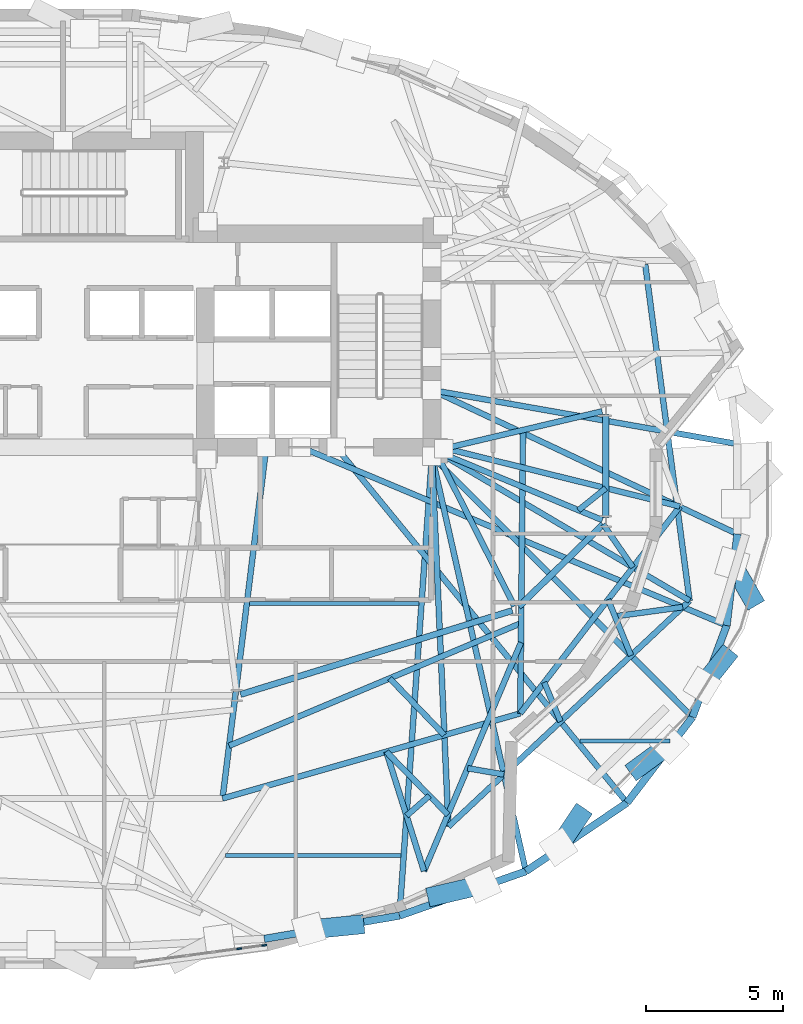
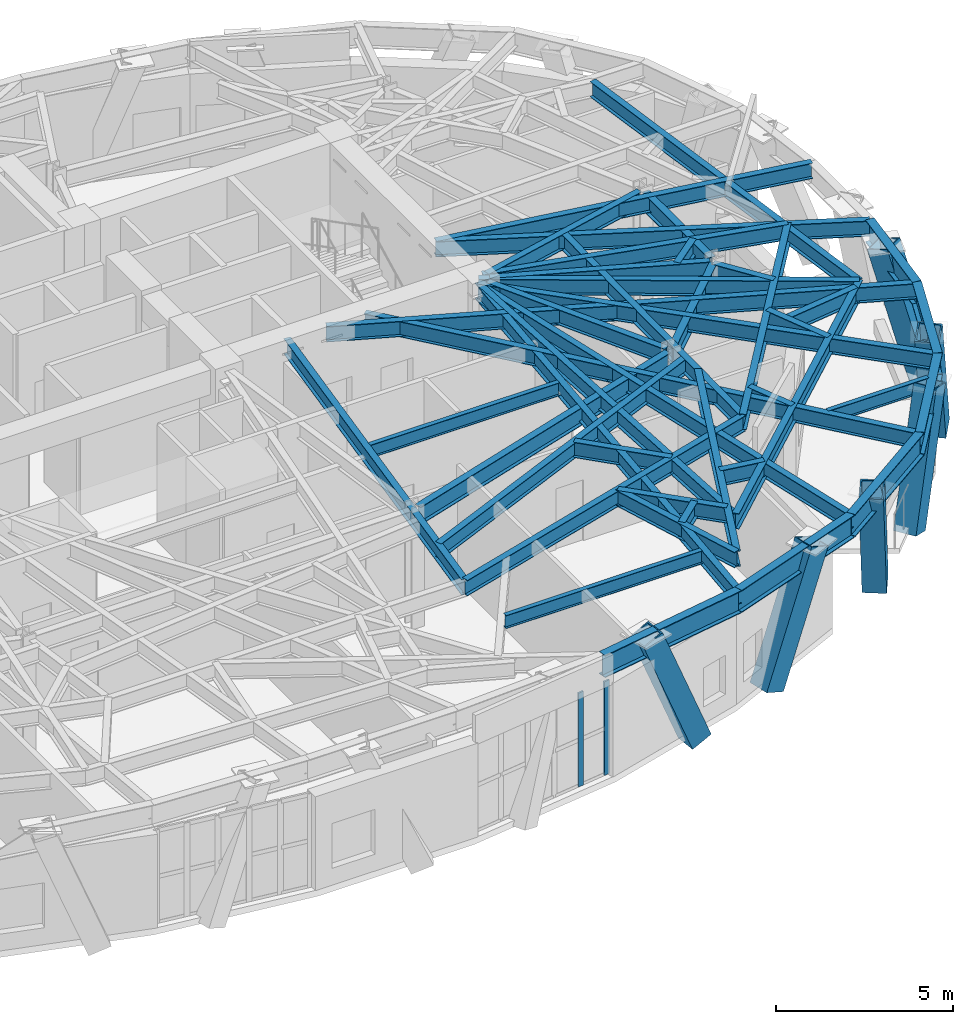
# One storey, part 4 of 16: 43 beams, 8 members, 1 element without a shape of its own.
"""IFC4 building model written with IfcOpenShell, lengths in metres."""

import ifcopenshell
import ifcopenshell.guid

model = None  # the IFC model being written
_history = None  # IfcOwnerHistory: only IFC2X3 demands one
_inside = {}  # id of a spatial element -> (the spatial element, [elements in it])
_under = {}  # id of a project, library or spatial element -> (it, [spatial elements below it])
_declared = {}  # id of a project -> (the project, [libraries it declares])
_typed = {}  # id of a type object -> (the type object, [elements of that type])
_made_of = {}  # id of a material, layer set ... -> (it, [elements and type objects made of it])


def new_model(schema):
    """Start an empty IFC model of exactly this schema.

    Asked for "IFC4X3", IfcOpenShell would pick the latest addendum, in which some entities
    have other attributes; the version numbers below select the first issue.
    IFC2X3 requires an IfcOwnerHistory on every rooted entity: one is made here for all.
    """
    global model, _history
    if schema == "IFC4X3":
        model = ifcopenshell.file(schema_version=(4, 3, 0, 0))
    else:
        model = ifcopenshell.file(schema=schema)
    _inside.clear()
    _under.clear()
    _declared.clear()
    _typed.clear()
    _made_of.clear()
    _history = None
    if model.schema == "IFC2X3":
        org = make("IfcOrganization", Name="unknown")
        user = make(
            "IfcPersonAndOrganization",
            ThePerson=make("IfcPerson", FamilyName="unknown"),
            TheOrganization=org,
        )
        app = make(
            "IfcApplication",
            ApplicationDeveloper=org,
            Version="unknown",
            ApplicationFullName="unknown",
            ApplicationIdentifier="unknown",
        )
        _history = make(
            "IfcOwnerHistory",
            OwningUser=user,
            OwningApplication=app,
            ChangeAction="ADDED",
            CreationDate=0,
        )
    return model


def make(cls, **values):
    """One entity of the class cls with the attributes given. An attribute that is None is left unset."""
    return model.create_entity(
        cls, **{name: value for name, value in values.items() if value is not None}
    )


def rooted(cls, **values):
    """An entity with a GlobalId (a new one), such as an element, a storey or a relation."""
    return make(cls, GlobalId=ifcopenshell.guid.new(), OwnerHistory=_history, **values)


def si_unit(unit_type, name, prefix=None):
    """IfcSIUnit, for example si_unit("LENGTHUNIT", "METRE", prefix="MILLI")."""
    return make("IfcSIUnit", UnitType=unit_type, Prefix=prefix, Name=name)


def assignment(units):
    """IfcUnitAssignment: the units of a project."""
    return None if units is None else make("IfcUnitAssignment", Units=units)


def point(xyz):
    """IfcCartesianPoint."""
    return None if xyz is None else make("IfcCartesianPoint", Coordinates=xyz)


def direction(xyz):
    """IfcDirection."""
    return None if xyz is None else make("IfcDirection", DirectionRatios=xyz)


def frame(location, z_axis=None, x_axis=None):
    """IfcAxis2Placement3D, a coordinate frame: its origin and axes. An axis left out is left unset."""
    return make(
        "IfcAxis2Placement3D",
        Location=point(location),
        Axis=direction(z_axis),
        RefDirection=direction(x_axis),
    )


def frame_2d(location, x_axis=None):
    """IfcAxis2Placement2D, a coordinate frame in the plane: its origin and x axis."""
    return make(
        "IfcAxis2Placement2D", Location=point(location), RefDirection=direction(x_axis)
    )


def origin():
    """The frame at (0, 0, 0) with its axes left unset."""
    return frame((0.0, 0.0, 0.0))


def origin_2d():
    """The frame at (0, 0) in the plane with its x axis left unset."""
    return frame_2d((0.0, 0.0))


def place(relative_to, where):
    """IfcLocalPlacement: puts the frame where relative to a parent placement (None: the world)."""
    return make(
        "IfcLocalPlacement", PlacementRelTo=relative_to, RelativePlacement=where
    )


def context(
    kind, dimensions, precision=None, world=None, true_north=None, identifier=None
):
    """IfcGeometricRepresentationContext, for example the 3D "Model" context."""
    return make(
        "IfcGeometricRepresentationContext",
        ContextIdentifier=identifier,
        ContextType=kind,
        CoordinateSpaceDimension=dimensions,
        Precision=precision,
        WorldCoordinateSystem=world,
        TrueNorth=true_north,
    )


def subcontext(parent, identifier, kind, view, scale=None):
    """IfcGeometricRepresentationSubContext, for example "Body" below "Model"."""
    return make(
        "IfcGeometricRepresentationSubContext",
        ContextIdentifier=identifier,
        ContextType=kind,
        ParentContext=parent,
        TargetScale=scale,
        TargetView=view,
    )


def project(units=None, contexts=None):
    """IfcProject with its units and contexts."""
    return rooted(
        "IfcProject",
        Name="project",
        RepresentationContexts=contexts,
        UnitsInContext=assignment(units),
    )


def spatial(cls, under=None, at=None, **own):
    """A site, building, storey or space (cls), placed at a placement, below another one or the project."""
    s = rooted(cls, ObjectPlacement=at, **own)
    if under is not None:
        _under.setdefault(under.id(), (under, []))[1].append(s)
    return s


def profile(cls, at=None, kind="AREA", **sizes):
    """A parametric profile (cls). Its sizes go by their IFC names, for example OverallWidth=200.0."""
    return make(cls, ProfileType=kind, Position=at, **sizes)


def rectangle(**sizes):
    """IfcRectangleProfileDef."""
    return profile("IfcRectangleProfileDef", **sizes)


def hollow_rectangle(**sizes):
    """IfcRectangleHollowProfileDef."""
    return profile("IfcRectangleHollowProfileDef", **sizes)


def i_section(**sizes):
    """IfcIShapeProfileDef."""
    return profile("IfcIShapeProfileDef", **sizes)


def extrude(swept, where, along, depth):
    """IfcExtrudedAreaSolid: the profile swept, set in the frame where, extruded along a direction by depth."""
    return make(
        "IfcExtrudedAreaSolid",
        SweptArea=swept,
        Position=where,
        ExtrudedDirection=direction(along),
        Depth=depth,
    )


def shape(context_of_items, identifier, shape_type, items):
    """IfcShapeRepresentation: the items that make up one representation, for example the "Body"."""
    return make(
        "IfcShapeRepresentation",
        ContextOfItems=context_of_items,
        RepresentationIdentifier=identifier,
        RepresentationType=shape_type,
        Items=items,
    )


def material(Name=None, Category=None):
    """IfcMaterial."""
    return make("IfcMaterial", Name=Name, Category=Category)


def layer(
    of_material, thickness, ventilated=None, Name=None, Category=None, Priority=None
):
    """IfcMaterialLayer: one layer of a wall or slab, of a material (None: an air gap)."""
    return make(
        "IfcMaterialLayer",
        Material=of_material,
        LayerThickness=thickness,
        IsVentilated=ventilated,
        Name=Name,
        Category=Category,
        Priority=Priority,
    )


def layer_set(layers, Name=None):
    """IfcMaterialLayerSet."""
    return make("IfcMaterialLayerSet", MaterialLayers=layers, LayerSetName=Name)


def material_profile(
    of_material, cross_section, Name=None, Category=None, Priority=None
):
    """IfcMaterialProfile: a cross section and its material."""
    return make(
        "IfcMaterialProfile",
        Name=Name,
        Material=of_material,
        Profile=cross_section,
        Priority=Priority,
        Category=Category,
    )


def profile_set(profiles, Name=None, composite=None):
    """IfcMaterialProfileSet."""
    return make(
        "IfcMaterialProfileSet",
        Name=Name,
        MaterialProfiles=profiles,
        CompositeProfile=composite,
    )


def made_of(thing, what):
    """Note that an element or type object is made of a material, layer set ...; save() writes the relation."""
    if what is not None:
        _made_of.setdefault(what.id(), (what, []))[1].append(thing)
    return thing


def type_object(cls, material=None, **own):
    """A type object (cls), such as IfcWallType, which elements share."""
    return made_of(rooted(cls, **own), material)


def element(
    cls,
    number,
    at=None,
    inside=None,
    cuts=None,
    type_object=None,
    material=None,
    context=None,
    identifier="Body",
    shape_type=None,
    held_by="IfcProductDefinitionShape",
    body=None,
    shapes=None,
    **own,
):
    """One element of the class cls, such as IfcWall. Its Tag is "e" and its number.

    at: its placement. inside: the storey or other place that contains it. cuts: it is an
    opening in that element (IfcRelVoidsElement). A single representation is given by context,
    identifier, shape_type and body (its items); several are given by shapes. held_by: the class
    of the entity that holds the representations. save() writes the other relations.
    """
    e = rooted(cls, Tag="e%d" % number, ObjectPlacement=at, **own)
    if body is not None:
        shapes = [shape(context, identifier, shape_type, body)]
    if shapes is not None:
        e.Representation = make(held_by, Representations=shapes)
    if inside is not None:
        _inside.setdefault(inside.id(), (inside, []))[1].append(e)
    if cuts is not None:
        rooted(
            "IfcRelVoidsElement", RelatingBuildingElement=cuts, RelatedOpeningElement=e
        )
    if type_object is not None:
        _typed.setdefault(type_object.id(), (type_object, []))[1].append(e)
    return made_of(e, material)


def aggregate(whole, parts):
    """IfcRelAggregates: a whole, such as a stair, and the parts it consists of."""
    return rooted("IfcRelAggregates", RelatingObject=whole, RelatedObjects=parts)


def save(model, path):
    """Write the relations noted so far, then the file.

    IfcRelAggregates (storeys below a building ...), IfcRelContainedInSpatialStructure (elements
    in a storey), IfcRelDefinesByType, IfcRelAssociatesMaterial and IfcRelDeclares: one each for
    every whole, place, type object, material and project.
    """
    for whole, parts in _under.values():
        aggregate(whole, parts)
    for where, things in _inside.values():
        rooted(
            "IfcRelContainedInSpatialStructure",
            RelatedElements=things,
            RelatingStructure=where,
        )
    for kind, things in _typed.values():
        rooted("IfcRelDefinesByType", RelatedObjects=things, RelatingType=kind)
    for what, things in _made_of.values():
        rooted("IfcRelAssociatesMaterial", RelatedObjects=things, RelatingMaterial=what)
    for by, libraries in _declared.values():
        rooted("IfcRelDeclares", RelatingContext=by, RelatedDefinitions=libraries)
    model.write(path)


model = new_model("IFC4")

# Units and contexts
model_context = context("Model", 3, precision=1e-05, world=origin(), true_north=direction((0.0, 1.0)))
body_context = subcontext(model_context, "Body", "Model", "MODEL_VIEW")
ifc_project = project(units=[si_unit("LENGTHUNIT", "METRE"), si_unit("AREAUNIT", "SQUARE_METRE"), si_unit("VOLUMEUNIT", "CUBIC_METRE"), si_unit("PLANEANGLEUNIT", "RADIAN"), si_unit("MASSUNIT", "GRAM", prefix="KILO")], contexts=[model_context])

# Site, building, storey
site_placement = place(None, origin())
site = spatial("IfcSite", under=ifc_project, at=site_placement, CompositionType="ELEMENT")
building_placement = place(site_placement, origin())
building = spatial("IfcBuilding", under=site, at=building_placement, Name="Keldmark Tower", CompositionType="ELEMENT")
storey_placement = place(building_placement, frame((0.0, 0.0, 139.60009765625)))
storey = spatial("IfcBuildingStorey", under=building, at=storey_placement, Name="L37", CompositionType="ELEMENT", Elevation=139.60009765625)

# Beams
ifc_material_1 = material(Name="Steel ASTM A992 Grade 50", Category="steel")
ifc_material_profile_1 = material_profile(ifc_material_1, i_section(OverallWidth=0.153076171875, OverallDepth=0.455078125, WebThickness=0.008056640625, FlangeThickness=0.01318359375, at=origin_2d()), Name="W18X40")
ifc_profile_set_1 = profile_set([ifc_material_profile_1], Name="Steel ASTM A992 Grade 50")
beam_type_1 = type_object("IfcBeamType", Name="Composite Floor Joist W18X40", PredefinedType="JOIST", material=ifc_profile_set_1)
beam_1_placement = place(storey_placement, frame((5.933837890625, -13.3798828125, 3.79248046875), z_axis=(1.0, 0.0, 0.0), x_axis=(0.0, 1.0, 0.0)))
element("IfcBeam", 1, at=beam_1_placement, inside=storey, type_object=beam_type_1, Name="L37 Composite Floor Joist J01", PredefinedType="JOIST", context=body_context, shape_type="SweptSolid", body=[
    extrude(i_section(OverallWidth=0.153076171875, OverallDepth=0.455078125, WebThickness=0.008056640625, FlangeThickness=0.01318359375, at=origin_2d()), origin(), (0.0, 0.0, 1.0), 6.4150390625),
])
beam_2_placement = place(storey_placement, frame((18.876953125, -9.199951171875, 3.79248046875), z_axis=(1.0, 0.0, 0.0), x_axis=(0.0, 1.0, 0.0)))
element("IfcBeam", 2, at=beam_2_placement, inside=storey, type_object=beam_type_1, Name="L37 Composite Floor Joist J03", PredefinedType="JOIST", context=body_context, shape_type="SweptSolid", body=[
    extrude(i_section(OverallWidth=0.153076171875, OverallDepth=0.455078125, WebThickness=0.008056640625, FlangeThickness=0.01318359375, at=origin_2d()), origin(), (0.0, 0.0, 1.0), 3.291259765625),
])
beam_3_placement = place(storey_placement, frame((6.811279296875, -4.179931640625, 3.79248046875), z_axis=(1.0, 0.0, 0.0), x_axis=(0.0, 1.0, 0.0)))
element("IfcBeam", 3, at=beam_3_placement, inside=storey, type_object=beam_type_1, Name="L37 Composite Floor Joist J06", PredefinedType="JOIST", context=body_context, shape_type="SweptSolid", body=[
    extrude(i_section(OverallWidth=0.153076171875, OverallDepth=0.455078125, WebThickness=0.008056640625, FlangeThickness=0.01318359375, at=origin_2d()), origin(), (0.0, 0.0, 1.0), 6.1875),
])

# Curtain wall, members
ifc_material_2 = material(Name="Unitized Thermally Broken Aluminum and Triple Low-E Glazing", Category="aluminium")
ifc_layer = layer(ifc_material_2, 0.219970703125)
ifc_layer_set = layer_set([ifc_layer], Name="Unitized Thermally Broken Aluminum and Triple Low-E Glazing")
curtain_wall_type = type_object("IfcCurtainWallType", Name="Sky Lobby Amenity Curtain Wall System", PredefinedType="NOTDEFINED", material=ifc_layer_set)
curtain_wall_placement = place(storey_placement, origin())
curtain_wall = element("IfcCurtainWall", 4, at=curtain_wall_placement, inside=storey, type_object=curtain_wall_type, Name="L37 Sky Lobby Amenity Curtain Wall System CW-L37-25", PredefinedType="NOTDEFINED")
ifc_material_3 = material(Name="Extruded Aluminum Alloy 6063-T6", Category="aluminium")
ifc_material_profile_2 = material_profile(ifc_material_3, rectangle(XDim=0.06005859375, YDim=0.179931640625, at=origin_2d()), Name="CWM60X180")
ifc_profile_set_2 = profile_set([ifc_material_profile_2], Name="Extruded Aluminum Alloy 6063-T6")
member_type_1 = type_object("IfcMemberType", Name="Curtain Wall Structural Mullion 60x180", PredefinedType="MULLION", material=ifc_profile_set_2)
member_1_placement = place(storey_placement, frame((7.349609375, -16.666015625, 0.0), z_axis=(0.0, 0.0, 1.0), x_axis=(0.133597552172, -0.991035667397, 0.0)))
member_1 = element("IfcMember", 5, at=member_1_placement, type_object=member_type_1, Name="CW mullion 1", PredefinedType="MULLION", context=body_context, shape_type="SweptSolid", body=[
    extrude(rectangle(XDim=0.06005859375, YDim=0.179931640625, at=origin_2d()), origin(), (0.0, 0.0, 1.0), 3.23779296875),
])
member_2_placement = place(storey_placement, frame((6.43505859375, -16.789306640625, 0.0), z_axis=(0.0, 0.0, 1.0), x_axis=(0.133597552172, -0.991035667397, 0.0)))
member_2 = element("IfcMember", 6, at=member_2_placement, type_object=member_type_1, Name="CW mullion 2", PredefinedType="MULLION", context=body_context, shape_type="SweptSolid", body=[
    extrude(rectangle(XDim=0.06005859375, YDim=0.179931640625, at=origin_2d()), origin(), (0.0, 0.0, 1.0), 3.23779296875),
])
aggregate(curtain_wall, [member_1, member_2])

# Members
ifc_material_4 = material(Name="Steel ASTM A572 Grade 50", Category="steel")
ifc_material_profile_3 = material_profile(ifc_material_4, hollow_rectangle(XDim=0.699951171875, YDim=0.699951171875, WallThickness=0.044921875, at=origin_2d()), Name="BOX700X700X45")
ifc_profile_set_3 = profile_set([ifc_material_profile_3], Name="Steel ASTM A572 Grade 50")
member_type_2 = type_object("IfcMemberType", Name="Diagrid Zone 2 Brace BOX700X700X45", PredefinedType="BRACE", material=ifc_profile_set_3)
member_3_placement = place(storey_placement, frame((10.669189453125, -15.922607421875, -0.300048828125), z_axis=(-0.372704446576, -0.037135699738, 0.92720673817), x_axis=(0.099147523007, -0.995072745422, 0.0)))
element("IfcMember", 7, at=member_3_placement, inside=storey, type_object=member_type_2, Name="L37 Perimeter Diagrid Brace 13B", PredefinedType="BRACE", context=body_context, shape_type="SweptSolid", body=[
    extrude(hollow_rectangle(XDim=0.699951171875, YDim=0.699951171875, WallThickness=0.044921875, at=origin_2d()), origin(), (0.0, 0.0, 1.0), 4.52978515625),
])
member_4_placement = place(storey_placement, frame((13.640625, -14.846923828125, -0.300048828125), z_axis=(0.37343740778, 0.087131816105, 0.92355430219), x_axis=(-0.227220764145, 0.97384327504, 0.0)))
element("IfcMember", 8, at=member_4_placement, inside=storey, type_object=member_type_2, Name="L37 Perimeter Diagrid Brace 14A", PredefinedType="BRACE", context=body_context, shape_type="SweptSolid", body=[
    extrude(hollow_rectangle(XDim=0.699951171875, YDim=0.699951171875, WallThickness=0.044921875, at=origin_2d()), origin(), (0.0, 0.0, 1.0), 4.547607421875),
])
member_5_placement = place(storey_placement, frame((18.85888671875, -11.94580078125, -0.300048828125), z_axis=(-0.17196231174, -0.257307798505, 0.950905705194), x_axis=(0.831417758639, -0.555647829673, 0.0)))
element("IfcMember", 9, at=member_5_placement, inside=storey, type_object=member_type_2, Name="L37 Perimeter Diagrid Brace 14B", PredefinedType="BRACE", context=body_context, shape_type="SweptSolid", body=[
    extrude(hollow_rectangle(XDim=0.699951171875, YDim=0.699951171875, WallThickness=0.044921875, at=origin_2d()), origin(), (0.0, 0.0, 1.0), 4.416748046875),
])
member_6_placement = place(storey_placement, frame((20.995849609375, -10.1826171875, -0.300048828125), z_axis=(0.259718707042, 0.191047320096, 0.94659765196), x_axis=(-0.592546825793, 0.805536007415, 0.0)))
element("IfcMember", 10, at=member_6_placement, inside=storey, type_object=member_type_2, Name="L37 Perimeter Diagrid Brace 15A", PredefinedType="BRACE", context=body_context, shape_type="SweptSolid", body=[
    extrude(hollow_rectangle(XDim=0.699951171875, YDim=0.699951171875, WallThickness=0.044921875, at=origin_2d()), origin(), (0.0, 0.0, 1.0), 4.43701171875),
])
member_7_placement = place(storey_placement, frame((24.177490234375, -6.150146484375, -0.300048828125), z_axis=(-0.18689791136, -0.235299535987, 0.953783675208), x_axis=(0.783042130256, -0.62196866661, 0.0)))
element("IfcMember", 11, at=member_7_placement, inside=storey, type_object=member_type_2, Name="L37 Perimeter Diagrid Brace 15B", PredefinedType="BRACE", context=body_context, shape_type="SweptSolid", body=[
    extrude(hollow_rectangle(XDim=0.699951171875, YDim=0.699951171875, WallThickness=0.044921875, at=origin_2d()), origin(), (0.0, 0.0, 1.0), 4.403564453125),
])
member_8_placement = place(storey_placement, frame((25.154541015625, -3.96826171875, -0.300048828125), z_axis=(-0.160421090928, 0.2770058659, 0.947382089678), x_axis=(-0.865359532122, -0.501151554089, 0.0)))
element("IfcMember", 12, at=member_8_placement, inside=storey, type_object=member_type_2, Name="L37 Perimeter Diagrid Brace 16A", PredefinedType="BRACE", context=body_context, shape_type="SweptSolid", body=[
    extrude(hollow_rectangle(XDim=0.699951171875, YDim=0.699951171875, WallThickness=0.044921875, at=origin_2d()), origin(), (0.0, 0.0, 1.0), 4.43310546875),
])

# Beams
ifc_material_5 = material(Name="Steel ASTM A992 Grade 50", Category="steel")
ifc_material_profile_4 = material_profile(ifc_material_5, i_section(OverallWidth=0.22900390625, OverallDepth=0.612060546875, WebThickness=0.011962890625, FlangeThickness=0.01953125, at=origin_2d()), Name="W24X84")
ifc_profile_set_4 = profile_set([ifc_material_profile_4], Name="Steel ASTM A992 Grade 50")
beam_type_2 = type_object("IfcBeamType", Name="Primary Floor Girder W24X84", PredefinedType="BEAM", material=ifc_profile_set_4)
beam_4_placement = place(storey_placement, frame((6.485107421875, -7.5048828125, 3.7138671875), z_axis=(0.955494563145, 0.295008711398, 0.0), x_axis=(-0.295008711398, 0.955494563145, 0.0)))
element("IfcBeam", 13, at=beam_4_placement, inside=storey, type_object=beam_type_2, Name="L37 Floor Ring Girder FG-R10", PredefinedType="BEAM", context=body_context, shape_type="SweptSolid", body=[
    extrude(i_section(OverallWidth=0.22900390625, OverallDepth=0.612060546875, WebThickness=0.011962890625, FlangeThickness=0.01953125, at=origin_2d()), origin(), (0.0, 0.0, 1.0), 10.39013671875),
])
beam_5_placement = place(storey_placement, frame((16.646728515625, -4.300537109375, 3.7138671875), z_axis=(0.714964509815, 0.699160746684, 0.0), x_axis=(-0.699160746684, 0.714964509815, 0.0)))
element("IfcBeam", 14, at=beam_5_placement, inside=storey, type_object=beam_type_2, Name="L37 Floor Ring Girder FG-R11", PredefinedType="BEAM", context=body_context, shape_type="SweptSolid", body=[
    extrude(i_section(OverallWidth=0.22900390625, OverallDepth=0.612060546875, WebThickness=0.011962890625, FlangeThickness=0.01953125, at=origin_2d()), origin(), (0.0, 0.0, 1.0), 4.31005859375),
])
beam_6_placement = place(storey_placement, frame((19.828369140625, -1.04931640625, 3.7138671875), z_axis=(0.0, 1.0, 0.0), x_axis=(-1.0, 0.0, 0.0)))
element("IfcBeam", 15, at=beam_6_placement, inside=storey, type_object=beam_type_2, Name="L37 Floor Ring Girder FG-R12", PredefinedType="BEAM", context=body_context, shape_type="SweptSolid", body=[
    extrude(i_section(OverallWidth=0.22900390625, OverallDepth=0.612060546875, WebThickness=0.011962890625, FlangeThickness=0.01953125, at=origin_2d()), origin(), (0.0, 0.0, 1.0), 3.778564453125),
])
ifc_material_6 = material(Name="Steel ASTM A992 Grade 50", Category="steel")
ifc_material_profile_5 = material_profile(ifc_material_6, i_section(OverallWidth=0.2099609375, OverallDepth=0.537109375, WebThickness=0.010986328125, FlangeThickness=0.017333984375, at=origin_2d()), Name="W21X68")
ifc_profile_set_5 = profile_set([ifc_material_profile_5], Name="Steel ASTM A992 Grade 50")
beam_type_3 = type_object("IfcBeamType", Name="Radial Tie Girder W21X68", PredefinedType="BEAM", material=ifc_profile_set_5)
beam_7_placement = place(storey_placement, frame((19.692138671875, 2.837158203125, 3.75146484375), z_axis=(-0.973280062348, -0.229621253887, 0.0), x_axis=(0.229621253887, -0.973280062348, 0.0)))
element("IfcBeam", 16, at=beam_7_placement, inside=storey, type_object=beam_type_3, Name="L37 Floor Radial Girder FG-C01", PredefinedType="BEAM", context=body_context, shape_type="SweptSolid", body=[
    extrude(i_section(OverallWidth=0.2099609375, OverallDepth=0.537109375, WebThickness=0.010986328125, FlangeThickness=0.017333984375, at=origin_2d()), origin(), (0.0, 0.0, 1.0), 5.939208984375),
])
beam_8_placement = place(storey_placement, frame((16.4833984375, -4.273681640625, 3.75146484375), z_axis=(-0.453036691775, 0.891491870914, 0.0), x_axis=(-0.891491870914, -0.453036691775, 0.0)))
element("IfcBeam", 17, at=beam_8_placement, inside=storey, type_object=beam_type_3, Name="L37 Floor Radial Girder FG-C11", PredefinedType="BEAM", context=body_context, shape_type="SweptSolid", body=[
    extrude(i_section(OverallWidth=0.2099609375, OverallDepth=0.537109375, WebThickness=0.010986328125, FlangeThickness=0.017333984375, at=origin_2d()), origin(), (0.0, 0.0, 1.0), 6.044189453125),
])
beam_9_placement = place(storey_placement, frame((19.69921875, -1.135498046875, 3.75146484375), z_axis=(-0.923393794893, 0.383854008124, 0.0), x_axis=(-0.383854008124, -0.923393794893, 0.0)))
element("IfcBeam", 18, at=beam_9_placement, inside=storey, type_object=beam_type_3, Name="L37 Floor Radial Girder FG-C12", PredefinedType="BEAM", context=body_context, shape_type="SweptSolid", body=[
    extrude(i_section(OverallWidth=0.2099609375, OverallDepth=0.537109375, WebThickness=0.010986328125, FlangeThickness=0.017333984375, at=origin_2d()), origin(), (0.0, 0.0, 1.0), 6.28515625),
])
beam_10_placement = place(storey_placement, frame((7.425048828125, 1.52490234375, 3.75146484375), z_axis=(-0.123602401319, -0.992331822723, 0.0), x_axis=(0.992331822723, -0.123602401319, 0.0)))
element("IfcBeam", 19, at=beam_10_placement, inside=storey, type_object=beam_type_3, Name="L37 Sub-Ring Step Girder STP1-M10", PredefinedType="BEAM", context=body_context, shape_type="SweptSolid", body=[
    extrude(i_section(OverallWidth=0.2099609375, OverallDepth=0.537109375, WebThickness=0.010986328125, FlangeThickness=0.017333984375, at=origin_2d()), origin(), (0.0, 0.0, 1.0), 12.927734375),
])
beam_11_placement = place(storey_placement, frame((6.06689453125, -9.37939453125, 3.75146484375), z_axis=(0.921949256036, 0.387310688331, 0.0), x_axis=(-0.387310688331, 0.921949256036, 0.0)))
element("IfcBeam", 20, at=beam_11_placement, inside=storey, type_object=beam_type_3, Name="L37 Framing Pin Header PH-007", PredefinedType="BEAM", context=body_context, shape_type="SweptSolid", body=[
    extrude(i_section(OverallWidth=0.2099609375, OverallDepth=0.537109375, WebThickness=0.010986328125, FlangeThickness=0.017333984375, at=origin_2d()), origin(), (0.0, 0.0, 1.0), 11.570068359375),
])
beam_12_placement = place(storey_placement, frame((16.8017578125, 2.1552734375, 3.75146484375), z_axis=(-0.009623557733, -0.999953692496, 0.0), x_axis=(0.999953692496, -0.009623557733, 0.0)))
element("IfcBeam", 21, at=beam_12_placement, inside=storey, type_object=beam_type_3, Name="L37 Sub-Ring Step Girder STP1-M11", PredefinedType="BEAM", context=body_context, shape_type="SweptSolid", body=[
    extrude(i_section(OverallWidth=0.2099609375, OverallDepth=0.537109375, WebThickness=0.010986328125, FlangeThickness=0.017333984375, at=origin_2d()), origin(), (0.0, 0.0, 1.0), 10.3505859375),
])
beam_13_placement = place(storey_placement, frame((18.82861328125, -0.773681640625, 3.75146484375), z_axis=(0.778637780949, 0.627473669629, 0.0), x_axis=(-0.627473669629, 0.778637780949, 0.0)))
element("IfcBeam", 22, at=beam_13_placement, inside=storey, type_object=beam_type_3, Name="L37 Framing Pin Header PH-008", PredefinedType="BEAM", context=body_context, shape_type="SweptSolid", body=[
    extrude(i_section(OverallWidth=0.2099609375, OverallDepth=0.537109375, WebThickness=0.010986328125, FlangeThickness=0.017333984375, at=origin_2d()), origin(), (0.0, 0.0, 1.0), 1.283935546875),
])
beam_14_placement = place(storey_placement, frame((13.800048828125, 1.52490234375, 3.75146484375), z_axis=(0.970682897113, -0.240363710347, 0.0), x_axis=(0.240363710347, 0.970682897113, 0.0)))
element("IfcBeam", 23, at=beam_14_placement, inside=storey, type_object=beam_type_3, Name="L37 Sub-Ring Step Girder STP1-M12", PredefinedType="BEAM", context=body_context, shape_type="SweptSolid", body=[
    extrude(i_section(OverallWidth=0.2099609375, OverallDepth=0.537109375, WebThickness=0.010986328125, FlangeThickness=0.017333984375, at=origin_2d()), origin(), (0.0, 0.0, 1.0), 8.9951171875),
])
beam_15_placement = place(storey_placement, frame((5.8271484375, -11.3037109375, 3.75146484375), z_axis=(0.961483210619, 0.274863667475, 0.0), x_axis=(-0.274863667475, 0.961483210619, 0.0)))
element("IfcBeam", 24, at=beam_15_placement, inside=storey, type_object=beam_type_3, Name="L37 Perimeter Collector Ring Beam CRG1-M10", PredefinedType="BEAM", context=body_context, shape_type="SweptSolid", body=[
    extrude(i_section(OverallWidth=0.2099609375, OverallDepth=0.537109375, WebThickness=0.010986328125, FlangeThickness=0.017333984375, at=origin_2d()), origin(), (0.0, 0.0, 1.0), 11.310546875),
])
beam_16_placement = place(storey_placement, frame((16.7021484375, -8.19482421875, 3.75146484375), z_axis=(0.610749846947, 0.791823606906, 0.0), x_axis=(-0.791823606906, 0.610749846947, 0.0)))
element("IfcBeam", 25, at=beam_16_placement, inside=storey, type_object=beam_type_3, Name="L37 Perimeter Collector Ring Beam CRG1-M11", PredefinedType="BEAM", context=body_context, shape_type="SweptSolid", body=[
    extrude(i_section(OverallWidth=0.2099609375, OverallDepth=0.537109375, WebThickness=0.010986328125, FlangeThickness=0.017333984375, at=origin_2d()), origin(), (0.0, 0.0, 1.0), 9.544677734375),
])
beam_17_placement = place(storey_placement, frame((11.93359375, -6.914794921875, 3.75146484375), z_axis=(0.693791660278, -0.720175764747, 0.0), x_axis=(0.720175764747, 0.693791660278, 0.0)))
element("IfcBeam", 26, at=beam_17_placement, inside=storey, type_object=beam_type_3, Name="L37 Framing Pin Header PH-013", PredefinedType="BEAM", context=body_context, shape_type="SweptSolid", body=[
    extrude(i_section(OverallWidth=0.2099609375, OverallDepth=0.537109375, WebThickness=0.010986328125, FlangeThickness=0.017333984375, at=origin_2d()), origin(), (0.0, 0.0, 1.0), 2.877685546875),
])
beam_18_placement = place(storey_placement, frame((13.47509765625, 1.199951171875, 3.75146484375), z_axis=(0.044632986317, -0.999003451712, 0.0), x_axis=(0.999003451712, 0.044632986317, 0.0)))
element("IfcBeam", 27, at=beam_18_placement, inside=storey, type_object=beam_type_3, Name="L37 Sub-Ring Step Girder STP2-M11", PredefinedType="BEAM", context=body_context, shape_type="SweptSolid", body=[
    extrude(i_section(OverallWidth=0.2099609375, OverallDepth=0.537109375, WebThickness=0.010986328125, FlangeThickness=0.017333984375, at=origin_2d()), origin(), (0.0, 0.0, 1.0), 13.5380859375),
])
beam_19_placement = place(storey_placement, frame((19.728271484375, -1.287109375, 3.75146484375), z_axis=(0.569575002166, -0.821939363279, 0.0), x_axis=(0.821939363279, 0.569575002166, 0.0)))
element("IfcBeam", 28, at=beam_19_placement, inside=storey, type_object=beam_type_3, Name="L37 Framing Pin Header PH-014", PredefinedType="BEAM", context=body_context, shape_type="SweptSolid", body=[
    extrude(i_section(OverallWidth=0.2099609375, OverallDepth=0.537109375, WebThickness=0.010986328125, FlangeThickness=0.017333984375, at=origin_2d()), origin(), (0.0, 0.0, 1.0), 1.91259765625),
])
beam_20_placement = place(storey_placement, frame((13.60009765625, 1.39990234375, 3.75146484375), z_axis=(0.861224360692, -0.508224950737, 0.0), x_axis=(0.508224950737, 0.861224360692, 0.0)))
element("IfcBeam", 29, at=beam_20_placement, inside=storey, type_object=beam_type_3, Name="L37 Sub-Ring Step Girder STP2-M12", PredefinedType="BEAM", context=body_context, shape_type="SweptSolid", body=[
    extrude(i_section(OverallWidth=0.2099609375, OverallDepth=0.537109375, WebThickness=0.010986328125, FlangeThickness=0.017333984375, at=origin_2d()), origin(), (0.0, 0.0, 1.0), 10.78173828125),
])
beam_21_placement = place(storey_placement, frame((14.079345703125, -12.32470703125, 3.75146484375), z_axis=(0.729977572155, 0.683471099718, 0.0), x_axis=(-0.683471099718, 0.729977572155, 0.0)))
element("IfcBeam", 30, at=beam_21_placement, inside=storey, type_object=beam_type_3, Name="L37 Perimeter Collector Ring Beam CRG2-M11", PredefinedType="BEAM", context=body_context, shape_type="SweptSolid", body=[
    extrude(i_section(OverallWidth=0.2099609375, OverallDepth=0.537109375, WebThickness=0.010986328125, FlangeThickness=0.017333984375, at=origin_2d()), origin(), (0.0, 0.0, 1.0), 12.0634765625),
])
beam_22_placement = place(storey_placement, frame((22.885498046875, -4.07958984375, 3.75146484375), z_axis=(-0.130747188915, 0.991415741549, 0.0), x_axis=(-0.991415741549, -0.130747188915, 0.0)))
element("IfcBeam", 31, at=beam_22_placement, inside=storey, type_object=beam_type_3, Name="L37 Perimeter Collector Ring Beam CRG2-M12", PredefinedType="BEAM", context=body_context, shape_type="SweptSolid", body=[
    extrude(i_section(OverallWidth=0.2099609375, OverallDepth=0.537109375, WebThickness=0.010986328125, FlangeThickness=0.017333984375, at=origin_2d()), origin(), (0.0, 0.0, 1.0), 12.385498046875),
])
beam_23_placement = place(storey_placement, frame((13.47509765625, 3.6142578125, 3.75146484375), z_axis=(0.984765764144, -0.173886140247, 0.0), x_axis=(0.173886140247, 0.984765764144, 0.0)))
element("IfcBeam", 32, at=beam_23_placement, inside=storey, type_object=beam_type_3, Name="L37 Perimeter Radial Tie Girder RT-01", PredefinedType="BEAM", context=body_context, shape_type="SweptSolid", body=[
    extrude(i_section(OverallWidth=0.2099609375, OverallDepth=0.537109375, WebThickness=0.010986328125, FlangeThickness=0.017333984375, at=origin_2d()), origin(), (0.0, 0.0, 1.0), 11.3291015625),
])
beam_24_placement = place(storey_placement, frame((11.80859375, -9.59375, 3.75146484375), z_axis=(0.699898385013, -0.71424243129, 0.0), x_axis=(0.71424243129, 0.699898385013, 0.0)))
element("IfcBeam", 33, at=beam_24_placement, inside=storey, type_object=beam_type_3, Name="L37 Framing Pin Header PH-034", PredefinedType="BEAM", context=body_context, shape_type="SweptSolid", body=[
    extrude(i_section(OverallWidth=0.2099609375, OverallDepth=0.537109375, WebThickness=0.010986328125, FlangeThickness=0.017333984375, at=origin_2d()), origin(), (0.0, 0.0, 1.0), 3.216796875),
])
beam_25_placement = place(storey_placement, frame((16.72705078125, -5.607421875, 3.75146484375), z_axis=(-0.390690201886, -0.920522224691, 0.0), x_axis=(0.920522224691, -0.390690201886, 0.0)))
element("IfcBeam", 34, at=beam_25_placement, inside=storey, type_object=beam_type_3, Name="L37 Intermediate Radial Step Girder RT-27M", PredefinedType="BEAM", context=body_context, shape_type="SweptSolid", body=[
    extrude(i_section(OverallWidth=0.2099609375, OverallDepth=0.537109375, WebThickness=0.010986328125, FlangeThickness=0.017333984375, at=origin_2d()), origin(), (0.0, 0.0, 1.0), 9.06787109375),
])
beam_26_placement = place(storey_placement, frame((11.80859375, -9.59375, 3.75146484375), z_axis=(0.300857945533, -0.953668965947, 0.0), x_axis=(0.953668965947, 0.300857945533, 0.0)))
element("IfcBeam", 35, at=beam_26_placement, inside=storey, type_object=beam_type_3, Name="L37 Local Collector Chord RT-27C", PredefinedType="BEAM", context=body_context, shape_type="SweptSolid", body=[
    extrude(i_section(OverallWidth=0.2099609375, OverallDepth=0.537109375, WebThickness=0.010986328125, FlangeThickness=0.017333984375, at=origin_2d()), origin(), (0.0, 0.0, 1.0), 4.57275390625),
])
beam_27_placement = place(storey_placement, frame((13.384521484375, -11.2021484375, 3.75146484375), z_axis=(-0.752603878602, -0.658473539266, 0.0), x_axis=(0.658473539266, -0.752603878602, 0.0)))
element("IfcBeam", 36, at=beam_27_placement, inside=storey, type_object=beam_type_3, Name="L37 Framing Pin Header PH-035", PredefinedType="BEAM", context=body_context, shape_type="SweptSolid", body=[
    extrude(i_section(OverallWidth=0.2099609375, OverallDepth=0.537109375, WebThickness=0.010986328125, FlangeThickness=0.017333984375, at=origin_2d()), origin(), (0.0, 0.0, 1.0), 1.11279296875),
])
beam_28_placement = place(storey_placement, frame((13.47509765625, 1.199951171875, 3.75146484375), z_axis=(-0.07047366832, -0.997513640044, 0.0), x_axis=(0.997513640044, -0.07047366832, 0.0)))
element("IfcBeam", 37, at=beam_28_placement, inside=storey, type_object=beam_type_3, Name="L37 Perimeter Radial Tie Girder RT-27", PredefinedType="BEAM", context=body_context, shape_type="SweptSolid", body=[
    extrude(i_section(OverallWidth=0.2099609375, OverallDepth=0.537109375, WebThickness=0.010986328125, FlangeThickness=0.017333984375, at=origin_2d()), origin(), (0.0, 0.0, 1.0), 16.825927734375),
])
beam_29_placement = place(storey_placement, frame((14.778564453125, -10.1982421875, 3.75146484375), z_axis=(0.985442320467, -0.170010096855, 0.0), x_axis=(0.170010096855, 0.985442320467, 0.0)))
element("IfcBeam", 38, at=beam_29_placement, inside=storey, type_object=beam_type_3, Name="L37 Framing Pin Header PH-036", PredefinedType="BEAM", context=body_context, shape_type="SweptSolid", body=[
    extrude(i_section(OverallWidth=0.2099609375, OverallDepth=0.537109375, WebThickness=0.010986328125, FlangeThickness=0.017333984375, at=origin_2d()), origin(), (0.0, 0.0, 1.0), 1.346923828125),
])
beam_30_placement = place(storey_placement, frame((13.47509765625, 1.199951171875, 3.75146484375), z_axis=(0.22069994663, -0.975341752186, 0.0), x_axis=(0.975341752186, 0.22069994663, 0.0)))
element("IfcBeam", 39, at=beam_30_placement, inside=storey, type_object=beam_type_3, Name="L37 Perimeter Radial Tie Girder RT-28", PredefinedType="BEAM", context=body_context, shape_type="SweptSolid", body=[
    extrude(i_section(OverallWidth=0.2099609375, OverallDepth=0.537109375, WebThickness=0.010986328125, FlangeThickness=0.017333984375, at=origin_2d()), origin(), (0.0, 0.0, 1.0), 15.546630859375),
])
beam_31_placement = place(storey_placement, frame((17.57666015625, -7.061279296875, 3.75146484375), z_axis=(0.384279873825, -0.92321664769, 0.0), x_axis=(0.92321664769, 0.384279873825, 0.0)))
element("IfcBeam", 40, at=beam_31_placement, inside=storey, type_object=beam_type_3, Name="L37 Framing Pin Header PH-037", PredefinedType="BEAM", context=body_context, shape_type="SweptSolid", body=[
    extrude(i_section(OverallWidth=0.2099609375, OverallDepth=0.537109375, WebThickness=0.010986328125, FlangeThickness=0.017333984375, at=origin_2d()), origin(), (0.0, 0.0, 1.0), 1.55029296875),
])
beam_32_placement = place(storey_placement, frame((9.97509765625, 1.52490234375, 3.75146484375), z_axis=(0.633295635614, -0.773909967575, 0.0), x_axis=(0.773909967575, 0.633295635614, 0.0)))
element("IfcBeam", 41, at=beam_32_placement, inside=storey, type_object=beam_type_3, Name="L37 Perimeter Radial Tie Girder RT-29", PredefinedType="BEAM", context=body_context, shape_type="SweptSolid", body=[
    extrude(i_section(OverallWidth=0.2099609375, OverallDepth=0.537109375, WebThickness=0.010986328125, FlangeThickness=0.017333984375, at=origin_2d()), origin(), (0.0, 0.0, 1.0), 16.77734375),
])
beam_33_placement = place(storey_placement, frame((19.908203125, -4.0380859375, 3.75146484375), z_axis=(0.379587884741, -0.925155682984, 0.0), x_axis=(0.925155682984, 0.379587884741, 0.0)))
element("IfcBeam", 42, at=beam_33_placement, inside=storey, type_object=beam_type_3, Name="L37 Framing Pin Header PH-038", PredefinedType="BEAM", context=body_context, shape_type="SweptSolid", body=[
    extrude(i_section(OverallWidth=0.2099609375, OverallDepth=0.537109375, WebThickness=0.010986328125, FlangeThickness=0.017333984375, at=origin_2d()), origin(), (0.0, 0.0, 1.0), 2.209228515625),
])
beam_34_placement = place(storey_placement, frame((13.47509765625, 1.199951171875, 3.75146484375), z_axis=(0.706617164296, -0.70759605929, 0.0), x_axis=(0.70759605929, 0.706617164296, 0.0)))
element("IfcBeam", 43, at=beam_34_placement, inside=storey, type_object=beam_type_3, Name="L37 Perimeter Radial Tie Girder RT-30", PredefinedType="BEAM", context=body_context, shape_type="SweptSolid", body=[
    extrude(i_section(OverallWidth=0.2099609375, OverallDepth=0.537109375, WebThickness=0.010986328125, FlangeThickness=0.017333984375, at=origin_2d()), origin(), (0.0, 0.0, 1.0), 13.4677734375),
])
beam_35_placement = place(storey_placement, frame((20.159912109375, -4.6513671875, 3.75146484375), z_axis=(0.990770047436, 0.13555335888, 0.0), x_axis=(-0.13555335888, 0.990770047436, 0.0)))
element("IfcBeam", 44, at=beam_35_placement, inside=storey, type_object=beam_type_3, Name="L37 Framing Pin Header PH-039", PredefinedType="BEAM", context=body_context, shape_type="SweptSolid", body=[
    extrude(i_section(OverallWidth=0.2099609375, OverallDepth=0.537109375, WebThickness=0.010986328125, FlangeThickness=0.017333984375, at=origin_2d()), origin(), (0.0, 0.0, 1.0), 2.5),
])
beam_36_placement = place(storey_placement, frame((8.699951171875, 1.52490234375, 3.75146484375), z_axis=(0.922359342647, -0.386333072662, 0.0), x_axis=(0.386333072662, 0.922359342647, 0.0)))
element("IfcBeam", 45, at=beam_36_placement, inside=storey, type_object=beam_type_3, Name="L37 Perimeter Radial Tie Girder RT-31", PredefinedType="BEAM", context=body_context, shape_type="SweptSolid", body=[
    extrude(i_section(OverallWidth=0.2099609375, OverallDepth=0.537109375, WebThickness=0.010986328125, FlangeThickness=0.017333984375, at=origin_2d()), origin(), (0.0, 0.0, 1.0), 16.84765625),
])
beam_37_placement = place(storey_placement, frame((13.47509765625, 3.6142578125, 3.75146484375), z_axis=(0.904555198909, -0.426356531704, 0.0), x_axis=(0.426356531704, 0.904555198909, 0.0)))
element("IfcBeam", 46, at=beam_37_placement, inside=storey, type_object=beam_type_3, Name="L37 Perimeter Radial Tie Girder RT-32", PredefinedType="BEAM", context=body_context, shape_type="SweptSolid", body=[
    extrude(i_section(OverallWidth=0.2099609375, OverallDepth=0.537109375, WebThickness=0.010986328125, FlangeThickness=0.017333984375, at=origin_2d()), origin(), (0.0, 0.0, 1.0), 12.333740234375),
])
ifc_material_7 = material(Name="Steel ASTM A992 Grade 50", Category="steel")
ifc_material_profile_6 = material_profile(ifc_material_7, i_section(OverallWidth=0.26806640625, OverallDepth=0.77001953125, WebThickness=0.015625, FlangeThickness=0.025390625, at=origin_2d()), Name="W30X132")
ifc_profile_set_6 = profile_set([ifc_material_profile_6], Name="Steel ASTM A992 Grade 50")
beam_type_4 = type_object("IfcBeamType", Name="Spandrel Ring Beam W30X132", PredefinedType="SPANDREL", material=ifc_profile_set_6)
beam_38_placement = place(storey_placement, frame((7.352783203125, -16.429931640625, 3.635009765625), z_axis=(0.985640803986, 0.168855575915, 0.0), x_axis=(-0.168855575915, 0.985640803986, 0.0)))
element("IfcBeam", 47, at=beam_38_placement, inside=storey, type_object=beam_type_4, Name="L37 Perimeter Spandrel Ring Beam SRB-26", PredefinedType="SPANDREL", context=body_context, shape_type="SweptSolid", body=[
    extrude(i_section(OverallWidth=0.26806640625, OverallDepth=0.77001953125, WebThickness=0.015625, FlangeThickness=0.025390625, at=origin_2d()), origin(), (0.0, 0.0, 1.0), 5.008544921875),
])
beam_39_placement = place(storey_placement, frame((12.289306640625, -15.584228515625, 3.635009765625), z_axis=(0.943544455186, 0.331245922372, 0.0), x_axis=(-0.331245922372, 0.943544455186, 0.0)))
element("IfcBeam", 48, at=beam_39_placement, inside=storey, type_object=beam_type_4, Name="L37 Perimeter Spandrel Ring Beam SRB-27", PredefinedType="SPANDREL", context=body_context, shape_type="SweptSolid", body=[
    extrude(i_section(OverallWidth=0.26806640625, OverallDepth=0.77001953125, WebThickness=0.015625, FlangeThickness=0.025390625, at=origin_2d()), origin(), (0.0, 0.0, 1.0), 4.893310546875),
])
beam_40_placement = place(storey_placement, frame((16.90625, -13.96337890625, 3.635009765625), z_axis=(0.827724433139, 0.561134799121, 0.0), x_axis=(-0.561134799121, 0.827724433139, 0.0)))
element("IfcBeam", 49, at=beam_40_placement, inside=storey, type_object=beam_type_4, Name="L37 Perimeter Spandrel Ring Beam SRB-28", PredefinedType="SPANDREL", context=body_context, shape_type="SweptSolid", body=[
    extrude(i_section(OverallWidth=0.26806640625, OverallDepth=0.77001953125, WebThickness=0.015625, FlangeThickness=0.025390625, at=origin_2d()), origin(), (0.0, 0.0, 1.0), 4.462646484375),
])
beam_41_placement = place(storey_placement, frame((20.60009765625, -11.459228515625, 3.635009765625), z_axis=(0.607215400231, 0.794537260122, 0.0), x_axis=(-0.794537260122, 0.607215400231, 0.0)))
element("IfcBeam", 50, at=beam_41_placement, inside=storey, type_object=beam_type_4, Name="L37 Perimeter Spandrel Ring Beam SRB-29", PredefinedType="SPANDREL", context=body_context, shape_type="SweptSolid", body=[
    extrude(i_section(OverallWidth=0.26806640625, OverallDepth=0.77001953125, WebThickness=0.015625, FlangeThickness=0.025390625, at=origin_2d()), origin(), (0.0, 0.0, 1.0), 3.938720703125),
])
beam_42_placement = place(storey_placement, frame((22.99169921875, -8.329833984375, 3.635009765625), z_axis=(0.349422124021, 0.936965409844, 0.0), x_axis=(-0.936965409844, 0.349422124021, 0.0)))
element("IfcBeam", 51, at=beam_42_placement, inside=storey, type_object=beam_type_4, Name="L37 Perimeter Spandrel Ring Beam SRB-30", PredefinedType="SPANDREL", context=body_context, shape_type="SweptSolid", body=[
    extrude(i_section(OverallWidth=0.26806640625, OverallDepth=0.77001953125, WebThickness=0.015625, FlangeThickness=0.025390625, at=origin_2d()), origin(), (0.0, 0.0, 1.0), 3.571044921875),
])
beam_43_placement = place(storey_placement, frame((24.239501953125, -4.98388671875, 3.635009765625), z_axis=(0.116605336518, 0.993178330158, 0.0), x_axis=(-0.993178330158, 0.116605336518, 0.0)))
element("IfcBeam", 52, at=beam_43_placement, inside=storey, type_object=beam_type_4, Name="L37 Perimeter Spandrel Ring Beam SRB-31", PredefinedType="SPANDREL", context=body_context, shape_type="SweptSolid", body=[
    extrude(i_section(OverallWidth=0.26806640625, OverallDepth=0.77001953125, WebThickness=0.015625, FlangeThickness=0.025390625, at=origin_2d()), origin(), (0.0, 0.0, 1.0), 3.362548828125),
])

save(model, "model.ifc")
